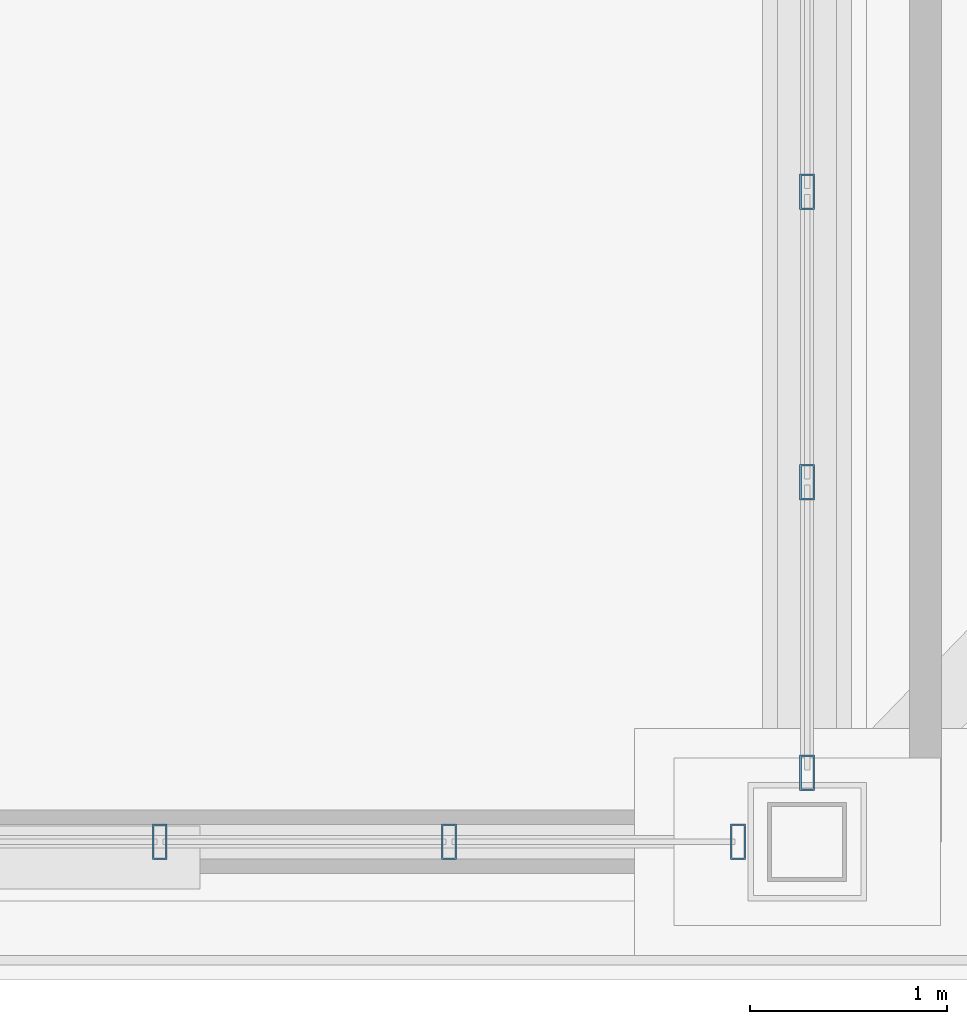
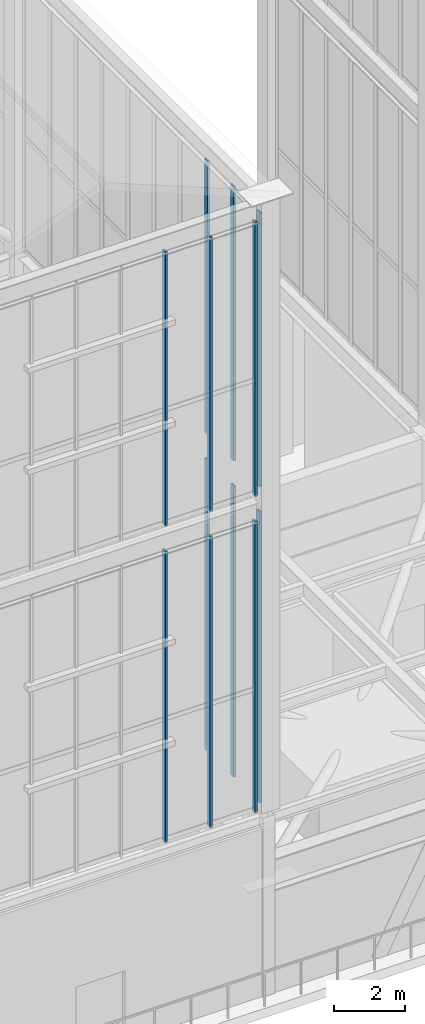
# One storey, part 11 of 135: 12 members, 4 elements without a shape of their own.
"""IFC4 building model written with IfcOpenShell, lengths in metres."""

from ifc_helpers import new_model, si_unit, direction, frame, origin, origin_2d, place, context, subcontext, project, spatial, hollow_rectangle, extrude, source, transform, mapped, material, layer, layer_set, material_profile, profile_set, type_object, element, aggregate, save


model = new_model("IFC4")

# Units and contexts
model_context = context("Model", 3, precision=1e-05, world=origin(), true_north=direction((0.0, 1.0)))
body_context = subcontext(model_context, "Body", "Model", "MODEL_VIEW")
ifc_project = project(units=[si_unit("LENGTHUNIT", "METRE"), si_unit("AREAUNIT", "SQUARE_METRE"), si_unit("VOLUMEUNIT", "CUBIC_METRE"), si_unit("PLANEANGLEUNIT", "RADIAN"), si_unit("MASSUNIT", "GRAM", prefix="KILO")], contexts=[model_context])

# Site, building, storey
site_placement = place(None, origin())
site = spatial("IfcSite", under=ifc_project, at=site_placement, CompositionType="ELEMENT")
building_placement = place(site_placement, origin())
building = spatial("IfcBuilding", under=site, at=building_placement, Name="Giltprow Tower", CompositionType="ELEMENT")
storey_placement = place(building_placement, frame((0.0, 0.0, 352.699951171875)))
storey = spatial("IfcBuildingStorey", under=building, at=storey_placement, Name="L92", CompositionType="ELEMENT", Elevation=352.699951171875)

# Curtain wall, members
ifc_material = material(Name="Anodized bronze", Category="metal")
ifc_layer = layer(ifc_material, 0.179931640625, Name="Anodized bronze")
ifc_layer_set = layer_set([ifc_layer], Name="Anodized bronze")
curtain_wall_type = type_object("IfcCurtainWallType", Name="CW-CROWN-LANTERN", PredefinedType="NOTDEFINED", material=ifc_layer_set)
curtain_wall_1_placement = place(storey_placement, origin())
curtain_wall_1 = element("IfcCurtainWall", 1, at=curtain_wall_1_placement, inside=storey, type_object=curtain_wall_type, Name="Crown West Lower Lantern Glazing 1", PredefinedType="NOTDEFINED")
ifc_material_profile = material_profile(ifc_material, hollow_rectangle(XDim=0.074951171875, YDim=0.179931640625, WallThickness=0.008056640625, at=origin_2d()), Name="RHS 180x75x8")
ifc_profile_set = profile_set([ifc_material_profile], Name="Anodized bronze")
member_type = type_object("IfcMemberType", Name="CW-MULLION-180x75", PredefinedType="MULLION", material=ifc_profile_set)
shared_shape_1 = source(origin(), body_context, "Body", "SweptSolid", [
    extrude(hollow_rectangle(XDim=0.074951171875, YDim=0.179931640625, WallThickness=0.008056640625, at=origin_2d()), origin(), (0.0, 0.0, 1.0), 10.030029296875),
])
member_1_placement = place(storey_placement, frame((27.52099609375, 23.5, 6.35009765625), z_axis=(0.0, 0.0, 1.0), x_axis=(1.0, 0.0, 0.0)))
member_1 = element("IfcMember", 2, at=member_1_placement, type_object=member_type, Name="Crown West Lower Lantern Glazing 1 Mullion 6", PredefinedType="MULLION", context=body_context, shape_type="MappedRepresentation", body=[
    mapped(shared_shape_1, transform((0.0, 0.0, 0.0), x_axis=(1.0, 0.0, 0.0), y_axis=(0.0, 1.0, 0.0), z_axis=(0.0, 0.0, 1.0), scale=1.0)),
])
member_2_placement = place(storey_placement, frame((28.986083984375, 23.5, 6.35009765625), z_axis=(0.0, 0.0, 1.0), x_axis=(1.0, 0.0, 0.0)))
member_2 = element("IfcMember", 3, at=member_2_placement, type_object=member_type, Name="Crown West Lower Lantern Glazing 1 Mullion 7", PredefinedType="MULLION", context=body_context, shape_type="MappedRepresentation", body=[
    mapped(shared_shape_1, transform((0.0, 0.0, 0.0), x_axis=(1.0, 0.0, 0.0), y_axis=(0.0, 1.0, 0.0), z_axis=(0.0, 0.0, 1.0), scale=1.0)),
])
member_3_placement = place(storey_placement, frame((30.449951171875, 23.5, 6.35009765625), z_axis=(0.0, 0.0, 1.0), x_axis=(1.0, 0.0, 0.0)))
member_3 = element("IfcMember", 4, at=member_3_placement, type_object=member_type, Name="Crown West Lower Lantern Glazing 1 Mullion 8", PredefinedType="MULLION", context=body_context, shape_type="MappedRepresentation", body=[
    mapped(shared_shape_1, transform((0.0, 0.0, 0.0), x_axis=(1.0, 0.0, 0.0), y_axis=(0.0, 1.0, 0.0), z_axis=(0.0, 0.0, 1.0), scale=1.0)),
])
aggregate(curtain_wall_1, [member_1, member_2, member_3])

curtain_wall_2_placement = place(storey_placement, origin())
curtain_wall_2 = element("IfcCurtainWall", 5, at=curtain_wall_2_placement, inside=storey, type_object=curtain_wall_type, Name="Crown West Lower Lantern Glazing 2", PredefinedType="NOTDEFINED")
member_4_placement = place(storey_placement, frame((30.800048828125, 23.85009765625, 6.35009765625), z_axis=(0.0, 0.0, 1.0), x_axis=(1.0, 0.0, 0.0)))
member_4 = element("IfcMember", 6, at=member_4_placement, type_object=member_type, Name="Crown West Lower Lantern Glazing 2 Mullion 1", PredefinedType="MULLION", context=body_context, shape_type="MappedRepresentation", body=[
    mapped(shared_shape_1, transform((0.0, 0.0, 0.0), x_axis=(1.0, 0.0, 0.0), y_axis=(0.0, 1.0, 0.0), z_axis=(0.0, 0.0, 1.0), scale=1.0)),
])
member_5_placement = place(storey_placement, frame((30.800048828125, 25.322021484375, 6.35009765625), z_axis=(0.0, 0.0, 1.0), x_axis=(1.0, 0.0, 0.0)))
member_5 = element("IfcMember", 7, at=member_5_placement, type_object=member_type, Name="Crown West Lower Lantern Glazing 2 Mullion 2", PredefinedType="MULLION", context=body_context, shape_type="MappedRepresentation", body=[
    mapped(shared_shape_1, transform((0.0, 0.0, 0.0), x_axis=(1.0, 0.0, 0.0), y_axis=(0.0, 1.0, 0.0), z_axis=(0.0, 0.0, 1.0), scale=1.0)),
])
member_6_placement = place(storey_placement, frame((30.800048828125, 26.7939453125, 6.35009765625), z_axis=(0.0, 0.0, 1.0), x_axis=(1.0, 0.0, 0.0)))
member_6 = element("IfcMember", 8, at=member_6_placement, type_object=member_type, Name="Crown West Lower Lantern Glazing 2 Mullion 3", PredefinedType="MULLION", context=body_context, shape_type="MappedRepresentation", body=[
    mapped(shared_shape_1, transform((0.0, 0.0, 0.0), x_axis=(1.0, 0.0, 0.0), y_axis=(0.0, 1.0, 0.0), z_axis=(0.0, 0.0, 1.0), scale=1.0)),
])
aggregate(curtain_wall_2, [member_4, member_5, member_6])

curtain_wall_3_placement = place(storey_placement, origin())
curtain_wall_3 = element("IfcCurtainWall", 9, at=curtain_wall_3_placement, inside=storey, type_object=curtain_wall_type, Name="Crown West Upper Lantern Glazing 1", PredefinedType="NOTDEFINED")
shared_shape_2 = source(origin(), body_context, "Body", "SweptSolid", [
    extrude(hollow_rectangle(XDim=0.074951171875, YDim=0.179931640625, WallThickness=0.008056640625, at=origin_2d()), origin(), (0.0, 0.0, 1.0), 9.45703125),
])
member_7_placement = place(storey_placement, frame((27.52099609375, 23.5, 17.25), z_axis=(0.0, 0.0, 1.0), x_axis=(1.0, 0.0, 0.0)))
member_7 = element("IfcMember", 10, at=member_7_placement, type_object=member_type, Name="Crown West Upper Lantern Glazing 1 Mullion 6", PredefinedType="MULLION", context=body_context, shape_type="MappedRepresentation", body=[
    mapped(shared_shape_2, transform((0.0, 0.0, 0.0), x_axis=(1.0, 0.0, 0.0), y_axis=(0.0, 1.0, 0.0), z_axis=(0.0, 0.0, 1.0), scale=1.0)),
])
member_8_placement = place(storey_placement, frame((28.986083984375, 23.5, 17.25), z_axis=(0.0, 0.0, 1.0), x_axis=(1.0, 0.0, 0.0)))
member_8 = element("IfcMember", 11, at=member_8_placement, type_object=member_type, Name="Crown West Upper Lantern Glazing 1 Mullion 7", PredefinedType="MULLION", context=body_context, shape_type="MappedRepresentation", body=[
    mapped(shared_shape_2, transform((0.0, 0.0, 0.0), x_axis=(1.0, 0.0, 0.0), y_axis=(0.0, 1.0, 0.0), z_axis=(0.0, 0.0, 1.0), scale=1.0)),
])
member_9_placement = place(storey_placement, frame((30.449951171875, 23.5, 17.25), z_axis=(0.0, 0.0, 1.0), x_axis=(1.0, 0.0, 0.0)))
member_9 = element("IfcMember", 12, at=member_9_placement, type_object=member_type, Name="Crown West Upper Lantern Glazing 1 Mullion 8", PredefinedType="MULLION", context=body_context, shape_type="MappedRepresentation", body=[
    mapped(shared_shape_2, transform((0.0, 0.0, 0.0), x_axis=(1.0, 0.0, 0.0), y_axis=(0.0, 1.0, 0.0), z_axis=(0.0, 0.0, 1.0), scale=1.0)),
])
aggregate(curtain_wall_3, [member_7, member_8, member_9])

curtain_wall_4_placement = place(storey_placement, origin())
curtain_wall_4 = element("IfcCurtainWall", 13, at=curtain_wall_4_placement, inside=storey, type_object=curtain_wall_type, Name="Crown West Upper Lantern Glazing 2", PredefinedType="NOTDEFINED")
member_10_placement = place(storey_placement, frame((30.800048828125, 23.85009765625, 17.25), z_axis=(0.0, 0.0, 1.0), x_axis=(1.0, 0.0, 0.0)))
member_10 = element("IfcMember", 14, at=member_10_placement, type_object=member_type, Name="Crown West Upper Lantern Glazing 2 Mullion 1", PredefinedType="MULLION", context=body_context, shape_type="MappedRepresentation", body=[
    mapped(shared_shape_2, transform((0.0, 0.0, 0.0), x_axis=(1.0, 0.0, 0.0), y_axis=(0.0, 1.0, 0.0), z_axis=(0.0, 0.0, 1.0), scale=1.0)),
])
member_11_placement = place(storey_placement, frame((30.800048828125, 25.322021484375, 17.25), z_axis=(0.0, 0.0, 1.0), x_axis=(1.0, 0.0, 0.0)))
member_11 = element("IfcMember", 15, at=member_11_placement, type_object=member_type, Name="Crown West Upper Lantern Glazing 2 Mullion 2", PredefinedType="MULLION", context=body_context, shape_type="MappedRepresentation", body=[
    mapped(shared_shape_2, transform((0.0, 0.0, 0.0), x_axis=(1.0, 0.0, 0.0), y_axis=(0.0, 1.0, 0.0), z_axis=(0.0, 0.0, 1.0), scale=1.0)),
])
member_12_placement = place(storey_placement, frame((30.800048828125, 26.7939453125, 17.25), z_axis=(0.0, 0.0, 1.0), x_axis=(1.0, 0.0, 0.0)))
member_12 = element("IfcMember", 16, at=member_12_placement, type_object=member_type, Name="Crown West Upper Lantern Glazing 2 Mullion 3", PredefinedType="MULLION", context=body_context, shape_type="MappedRepresentation", body=[
    mapped(shared_shape_2, transform((0.0, 0.0, 0.0), x_axis=(1.0, 0.0, 0.0), y_axis=(0.0, 1.0, 0.0), z_axis=(0.0, 0.0, 1.0), scale=1.0)),
])
aggregate(curtain_wall_4, [member_10, member_11, member_12])

save(model, "model.ifc")
